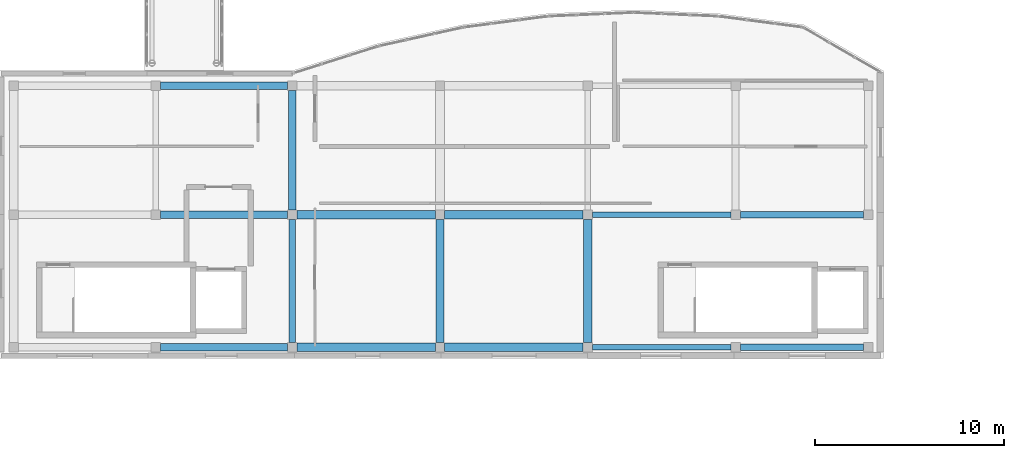
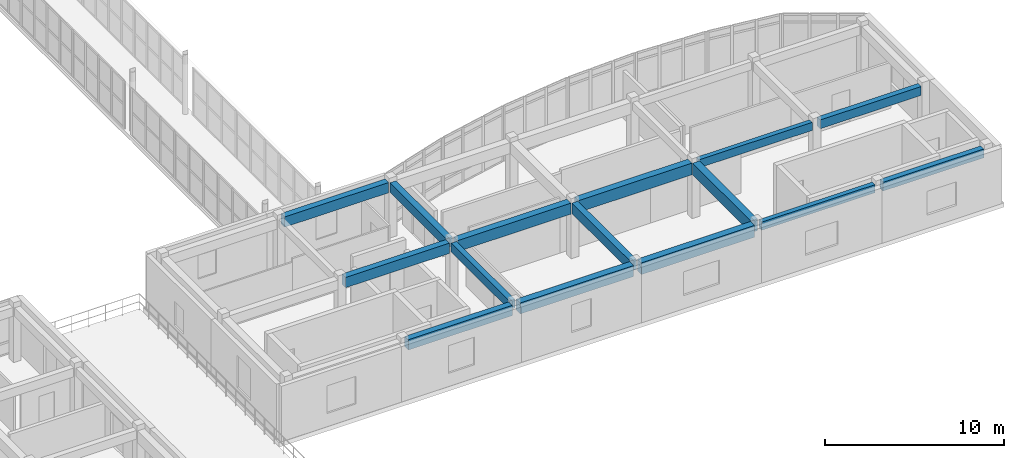
# One storey, part 20 of 52: 15 beams.
"""IFC4 building model written with IfcOpenShell, lengths in metres."""

from ifc_helpers import new_model, si_unit, direction, frame, origin, origin_2d, place, context, subcontext, project, spatial, rectangle, extrude, material, material_profile, profile_set, type_object, element, save


model = new_model("IFC4")

# Units and contexts
model_context = context("Model", 3, precision=1e-05, world=origin(), true_north=direction((0.0, 1.0)))
body_context = subcontext(model_context, "Body", "Model", "MODEL_VIEW")
ifc_project = project(units=[si_unit("LENGTHUNIT", "METRE"), si_unit("AREAUNIT", "SQUARE_METRE"), si_unit("VOLUMEUNIT", "CUBIC_METRE"), si_unit("PLANEANGLEUNIT", "RADIAN"), si_unit("MASSUNIT", "GRAM", prefix="KILO")], contexts=[model_context])

# Site, building, storey
site_placement = place(None, origin())
site = spatial("IfcSite", under=ifc_project, at=site_placement, CompositionType="ELEMENT")
building_placement = place(site_placement, origin())
building = spatial("IfcBuilding", under=site, at=building_placement, Name="Valcora Specialist Clinic", CompositionType="ELEMENT")
storey_placement = place(building_placement, frame((0.0, 0.0, 17.679931640625)))
storey = spatial("IfcBuildingStorey", under=building, at=storey_placement, Name="L04", CompositionType="ELEMENT", Elevation=17.679931640625)

# Beams
ifc_material = material(Name="Concrete C40/50", Category="concrete")
ifc_material_profile_1 = material_profile(ifc_material, rectangle(XDim=0.300048828125, YDim=0.550048828125, at=origin_2d()), Name="RC-BM-300X550")
ifc_profile_set_1 = profile_set([ifc_material_profile_1], Name="Concrete C40/50")
beam_type_1 = type_object("IfcBeamType", Name="TY-BM-RC300X550", PredefinedType="BEAM", material=ifc_profile_set_1)
for number, where, z_axis, x_axis, name in (
    (1, (84.85009765625, 8.199951171875, 3.5), (1.0, 0.0, 0.0), (0.0, 1.0, 0.0), "Beam BM-L04-1471"),
    (2, (84.85009765625, 15.199951171875, 3.5), (1.0, 0.0, 0.0), (0.0, 1.0, 0.0), "Beam BM-L04-1477"),
):
    element("IfcBeam", number, at=place(storey_placement, frame(where, z_axis=z_axis, x_axis=x_axis)), inside=storey, type_object=beam_type_1, Name=name, PredefinedType="BEAM", context=body_context, shape_type="SweptSolid", body=[
        extrude(rectangle(XDim=0.300048828125, YDim=0.550048828125, at=origin_2d()), origin(), (0.0, 0.0, 1.0), 7.2998046875),
    ])
ifc_material_profile_2 = material_profile(ifc_material, rectangle(XDim=0.35009765625, YDim=0.60009765625, at=origin_2d()), Name="RC-BM-350X600")
ifc_profile_set_2 = profile_set([ifc_material_profile_2], Name="Concrete C40/50")
beam_type_2 = type_object("IfcBeamType", Name="TY-BM-RC350X600", PredefinedType="BEAM", material=ifc_profile_set_2)
for number, where, z_axis, x_axis, name in (
    (3, (92.64990234375, 8.199951171875, 3.47509765625), (1.0, 0.0, 0.0), (0.0, 1.0, 0.0), "Beam BM-L04-1472"),
    (4, (92.64990234375, 15.199951171875, 3.47509765625), (1.0, 0.0, 0.0), (0.0, 1.0, 0.0), "Beam BM-L04-1478"),
    (5, (69.0, 8.449951171875, 3.47509765625), (0.0, 1.0, 0.0), (-1.0, 0.0, 0.0), "Beam BM-L04-1488"),
):
    element("IfcBeam", number, at=place(storey_placement, frame(where, z_axis=z_axis, x_axis=x_axis)), inside=storey, type_object=beam_type_2, Name=name, PredefinedType="BEAM", context=body_context, shape_type="SweptSolid", body=[
        extrude(rectangle(XDim=0.35009765625, YDim=0.60009765625, at=origin_2d()), origin(), (0.0, 0.0, 1.0), 6.5),
    ])
ifc_material_profile_3 = material_profile(ifc_material, rectangle(XDim=0.39990234375, YDim=0.64990234375, at=origin_2d()), Name="RC-BM-400X650")
ifc_profile_set_3 = profile_set([ifc_material_profile_3], Name="Concrete C40/50")
beam_type_3 = type_object("IfcBeamType", Name="TY-BM-RC400X650", PredefinedType="BEAM", material=ifc_profile_set_3)
beam_1_placement = place(storey_placement, frame((69.0, 15.449951171875, 3.449951171875), z_axis=(0.0, 1.0, 0.0), x_axis=(-1.0, 0.0, 0.0)))
element("IfcBeam", 6, at=beam_1_placement, inside=storey, type_object=beam_type_3, Name="Beam BM-L04-1489", PredefinedType="BEAM", context=body_context, shape_type="SweptSolid", body=[
    extrude(rectangle(XDim=0.39990234375, YDim=0.64990234375, at=origin_2d()), origin(), (0.0, 0.0, 1.0), 6.300048828125),
])
ifc_material_profile_4 = material_profile(ifc_material, rectangle(XDim=0.39990234375, YDim=0.699951171875, at=origin_2d()), Name="RC-BM-400X700")
ifc_profile_set_4 = profile_set([ifc_material_profile_4], Name="Concrete C40/50")
beam_type_4 = type_object("IfcBeamType", Name="TY-BM-RC400X700", PredefinedType="BEAM", material=ifc_profile_set_4)
for number, where, z_axis, x_axis, name in (
    (7, (62.050048828125, 8.199951171875, 3.425048828125), (1.0, 0.0, 0.0), (0.0, 1.0, 0.0), "Beam BM-L04-1468"),
    (8, (62.050048828125, 15.199951171875, 3.425048828125), (1.0, 0.0, 0.0), (0.0, 1.0, 0.0), "Beam BM-L04-1474"),
    (9, (62.050048828125, 22.0, 3.425048828125), (1.0, 0.0, 0.0), (0.0, 1.0, 0.0), "Beam BM-L04-1480"),
):
    element("IfcBeam", number, at=place(storey_placement, frame(where, z_axis=z_axis, x_axis=x_axis)), inside=storey, type_object=beam_type_4, Name=name, PredefinedType="BEAM", context=body_context, shape_type="SweptSolid", body=[
        extrude(rectangle(XDim=0.39990234375, YDim=0.699951171875, at=origin_2d()), origin(), (0.0, 0.0, 1.0), 6.699951171875),
    ])
beam_2_placement = place(storey_placement, frame((76.800048828125, 8.449951171875, 3.425048828125), z_axis=(0.0, 1.0, 0.0), x_axis=(-1.0, 0.0, 0.0)))
element("IfcBeam", 10, at=beam_2_placement, inside=storey, type_object=beam_type_4, Name="Beam BM-L04-1490", PredefinedType="BEAM", context=body_context, shape_type="SweptSolid", body=[
    extrude(rectangle(XDim=0.39990234375, YDim=0.699951171875, at=origin_2d()), origin(), (0.0, 0.0, 1.0), 6.5),
])
ifc_material_profile_5 = material_profile(ifc_material, rectangle(XDim=0.449951171875, YDim=0.75, at=origin_2d()), Name="RC-BM-450X750")
ifc_profile_set_5 = profile_set([ifc_material_profile_5], Name="Concrete C40/50")
beam_type_5 = type_object("IfcBeamType", Name="TY-BM-RC450X750", PredefinedType="BEAM", material=ifc_profile_set_5)
for number, where, z_axis, x_axis, name in (
    (11, (69.25, 8.199951171875, 3.400146484375), (1.0, 0.0, 0.0), (0.0, 1.0, 0.0), "Beam BM-L04-1469"),
    (12, (69.25, 15.199951171875, 3.400146484375), (1.0, 0.0, 0.0), (0.0, 1.0, 0.0), "Beam BM-L04-1475"),
):
    element("IfcBeam", number, at=place(storey_placement, frame(where, z_axis=z_axis, x_axis=x_axis)), inside=storey, type_object=beam_type_5, Name=name, PredefinedType="BEAM", context=body_context, shape_type="SweptSolid", body=[
        extrude(rectangle(XDim=0.449951171875, YDim=0.75, at=origin_2d()), origin(), (0.0, 0.0, 1.0), 7.300048828125),
    ])
ifc_material_profile_6 = material_profile(ifc_material, rectangle(XDim=0.449951171875, YDim=0.800048828125, at=origin_2d()), Name="RC-BM-450X800")
ifc_profile_set_6 = profile_set([ifc_material_profile_6], Name="Concrete C40/50")
beam_type_6 = type_object("IfcBeamType", Name="TY-BM-RC450X800", PredefinedType="BEAM", material=ifc_profile_set_6)
for number, where, z_axis, x_axis, name in (
    (13, (77.050048828125, 8.199951171875, 3.375), (1.0, 0.0, 0.0), (0.0, 1.0, 0.0), "Beam BM-L04-1470"),
    (14, (77.050048828125, 15.199951171875, 3.375), (1.0, 0.0, 0.0), (0.0, 1.0, 0.0), "Beam BM-L04-1476"),
):
    element("IfcBeam", number, at=place(storey_placement, frame(where, z_axis=z_axis, x_axis=x_axis)), inside=storey, type_object=beam_type_6, Name=name, PredefinedType="BEAM", context=body_context, shape_type="SweptSolid", body=[
        extrude(rectangle(XDim=0.449951171875, YDim=0.800048828125, at=origin_2d()), origin(), (0.0, 0.0, 1.0), 7.300048828125),
    ])
beam_3_placement = place(storey_placement, frame((84.60009765625, 8.449951171875, 3.375), z_axis=(0.0, 1.0, 0.0), x_axis=(-1.0, 0.0, 0.0)))
element("IfcBeam", 15, at=beam_3_placement, inside=storey, type_object=beam_type_6, Name="Beam BM-L04-1492", PredefinedType="BEAM", context=body_context, shape_type="SweptSolid", body=[
    extrude(rectangle(XDim=0.449951171875, YDim=0.800048828125, at=origin_2d()), origin(), (0.0, 0.0, 1.0), 6.5),
])

save(model, "model.ifc")
